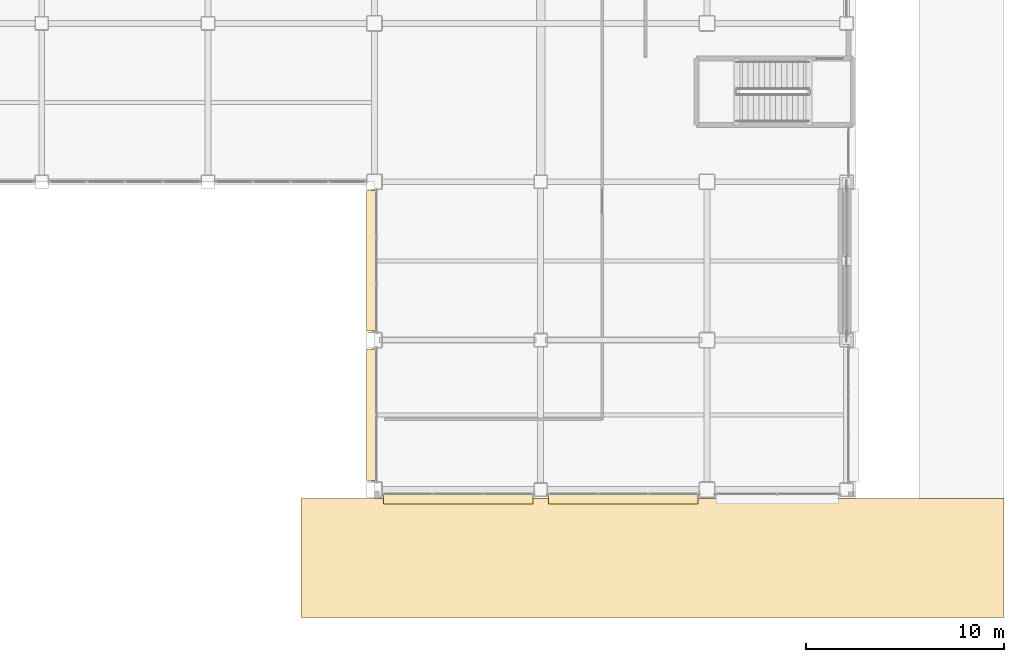
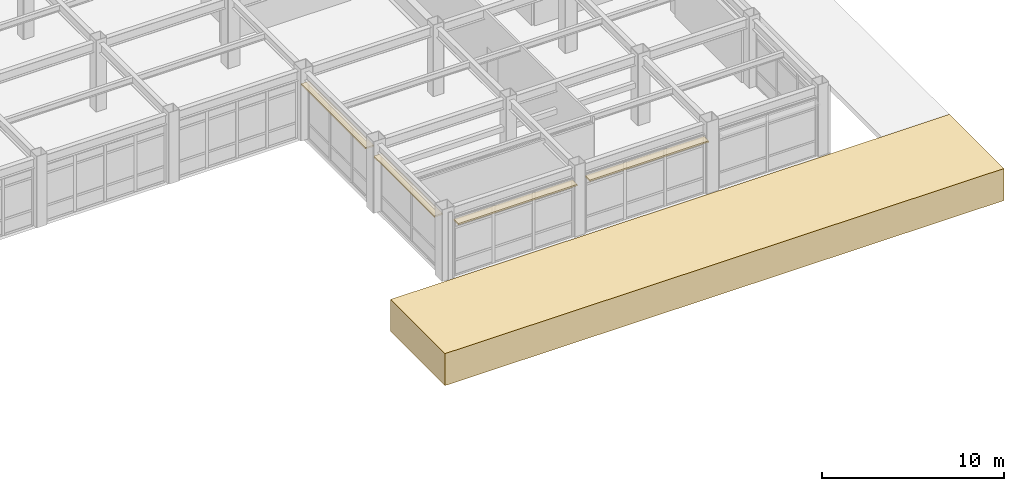
# One storey, part 166 of 172: 5 coverings.
"""IFC4 building model written with IfcOpenShell, lengths in metres."""

from ifc_helpers import new_model, si_unit, direction, frame, origin, origin_2d, place, context, subcontext, project, spatial, polyline, rectangle, outline, extrude, material, layer, layer_set, type_object, element, save


model = new_model("IFC4")

# Units and contexts
model_context = context("Model", 3, precision=1e-05, world=origin(), true_north=direction((0.0, 1.0)))
body_context = subcontext(model_context, "Body", "Model", "MODEL_VIEW")
ifc_project = project(units=[si_unit("LENGTHUNIT", "METRE"), si_unit("AREAUNIT", "SQUARE_METRE"), si_unit("VOLUMEUNIT", "CUBIC_METRE"), si_unit("PLANEANGLEUNIT", "RADIAN"), si_unit("MASSUNIT", "GRAM", prefix="KILO")], contexts=[model_context])

# Site, building, storey
site_placement = place(None, origin())
site = spatial("IfcSite", under=ifc_project, at=site_placement, CompositionType="ELEMENT")
building_placement = place(site_placement, origin())
building = spatial("IfcBuilding", under=site, at=building_placement, Name="Kazehara Bluff Congress Hotel", CompositionType="ELEMENT")
storey_placement = place(building_placement, frame((0.0, 0.0, 5.39990234375)))
storey = spatial("IfcBuildingStorey", under=building, at=storey_placement, Name="L01", CompositionType="ELEMENT", Elevation=5.39990234375)

# Coverings
ifc_material_1 = material(Name="Anodised aluminium architectural brise-soleil", Category="aluminium")
ifc_layer_1 = layer(ifc_material_1, 0.10009765625)
ifc_layer_set_1 = layer_set([ifc_layer_1], Name="Anodised aluminium architectural brise-soleil")
covering_type_1 = type_object("IfcCoveringType", Name="TP-FAC-FIN", PredefinedType="CLADDING", material=ifc_layer_set_1)
for number, where, z_axis, x_axis, name in (
    (1, (147.925048828125, -0.02001953125, 3.705078125), (0.0, 0.0, 1.0), (1.0, 0.0, 0.0), "L01 V5 architectural sun-hood 54"),
    (2, (156.27490234375, -0.02001953125, 3.705078125), (0.0, 0.0, 1.0), (1.0, 0.0, 0.0), "L01 V5 architectural sun-hood 55"),
):
    element("IfcCovering", number, at=place(storey_placement, frame(where, z_axis=z_axis, x_axis=x_axis)), inside=storey, type_object=covering_type_1, Name=name, PredefinedType="CLADDING", context=body_context, shape_type="SweptSolid", body=[
        extrude(rectangle(XDim=7.550048828125, YDim=0.52001953125, at=origin_2d()), origin(), (0.0, 0.0, 1.0), 0.10009765625),
    ])
covering_1_placement = place(storey_placement, frame((143.56005859375, 4.22509765625, 3.804931640625), z_axis=(0.0, 0.0, 1.0), x_axis=(1.0, 0.0, 0.0)))
element("IfcCovering", 3, at=covering_1_placement, inside=storey, type_object=covering_type_1, Name="L01 V5 architectural sun-hood 81", PredefinedType="CLADDING", context=body_context, shape_type="SweptSolid", body=[
    extrude(rectangle(XDim=0.52001953125, YDim=6.64990234375, at=origin_2d()), origin(), (0.0, 0.0, 1.0), 0.10009765625),
])
covering_2_placement = place(storey_placement, frame((143.56005859375, 12.0, 3.804931640625), z_axis=(0.0, 0.0, 1.0), x_axis=(1.0, 0.0, 0.0)))
element("IfcCovering", 4, at=covering_2_placement, inside=storey, type_object=covering_type_1, Name="L01 V5 architectural sun-hood 82", PredefinedType="CLADDING", context=body_context, shape_type="SweptSolid", body=[
    extrude(rectangle(XDim=0.52001953125, YDim=7.10009765625, at=origin_2d()), origin(), (0.0, 0.0, 1.0), 0.10009765625),
])
ifc_material_2 = material(Name="Granite stone site paving", Category="masonry")
ifc_layer_2 = layer(ifc_material_2, 2.14990234375)
ifc_layer_set_2 = layer_set([ifc_layer_2], Name="Granite stone site paving")
covering_type_2 = type_object("IfcCoveringType", Name="TP-SITE-PAV2", PredefinedType="FLOORING", material=ifc_layer_set_2)
covering_3_placement = place(storey_placement, frame((0.0, 0.0, -2.14990234375)))
element("IfcCovering", 5, at=covering_3_placement, inside=storey, type_object=covering_type_2, Name="Osaka bluff granite site terrace PAV-STH-STEP3", PredefinedType="FLOORING", context=body_context, shape_type="SweptSolid", body=[
    extrude(outline(polyline([(140.0, -6.0), (175.5, -6.0), (175.5, 0.0), (140.0, 0.0), (140.0, -6.0)])), origin(), (0.0, 0.0, 1.0), 2.14990234375),
])

save(model, "model.ifc")
